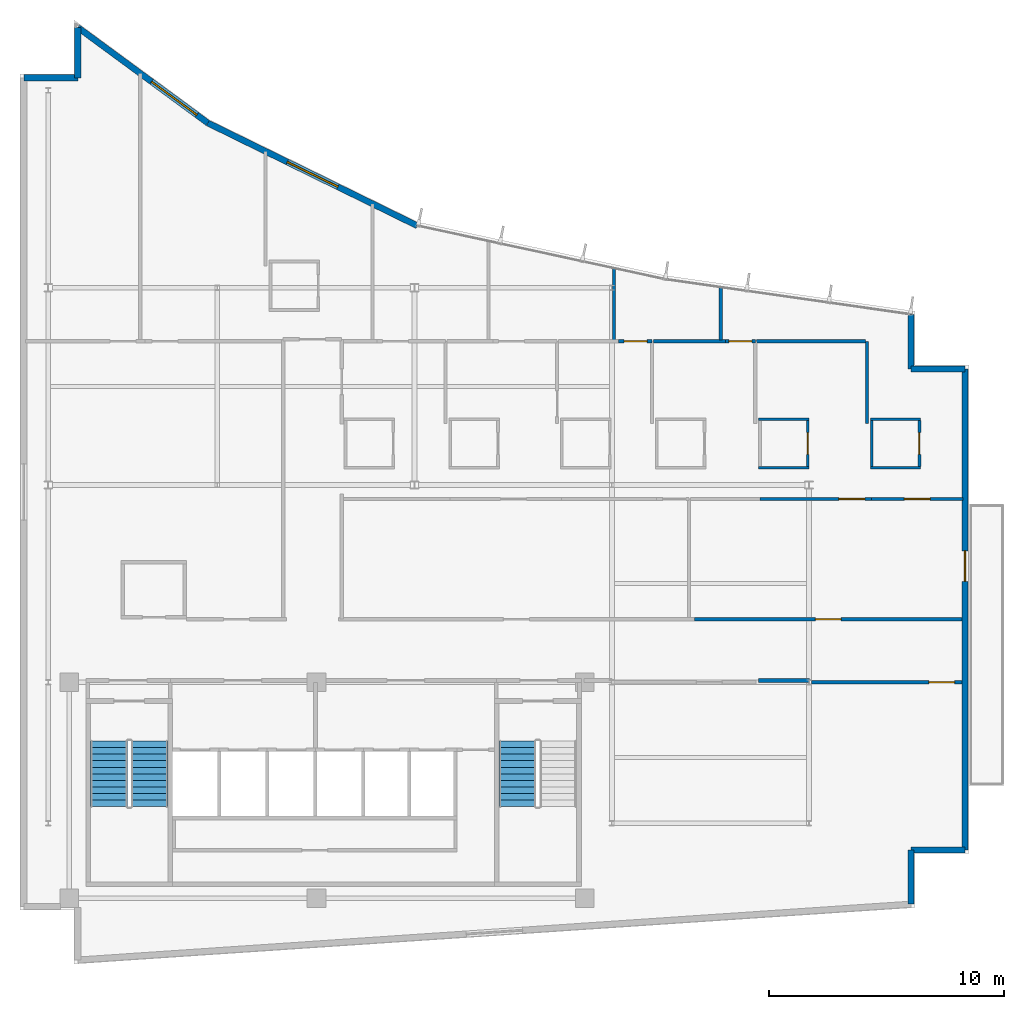
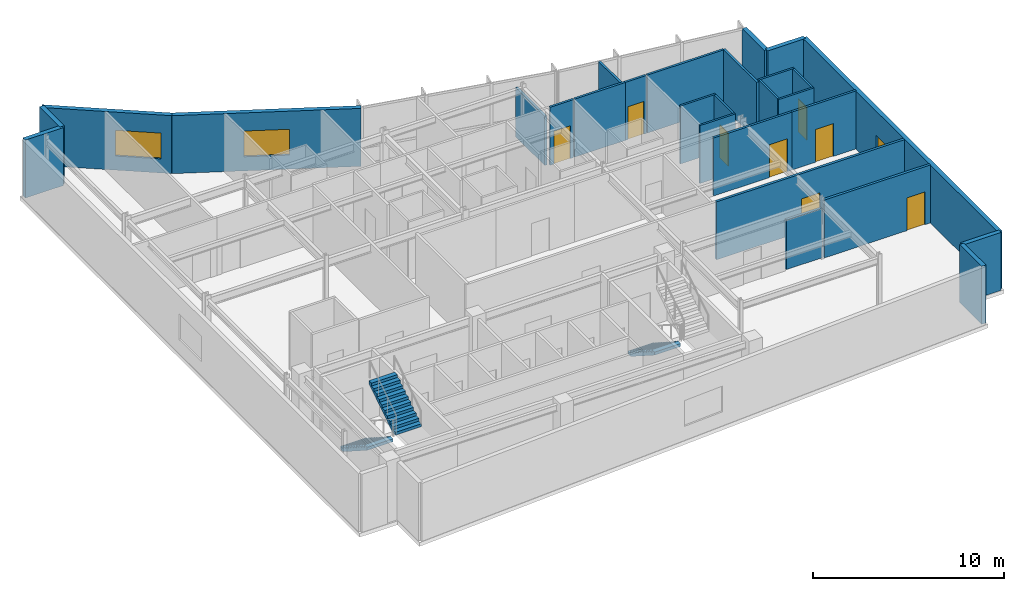
# One storey, part 12 of 16: 28 walls, 9 doors, 3 stair flights, 2 windows, 11 openings, 2 elements without a shape of their own.
"""IFC4 building model written with IfcOpenShell, lengths in metres."""

from ifc_helpers import new_model, si_unit, direction, frame, frame_2d, origin, place, context, subcontext, project, spatial, polyline, rectangle, outline, extrude, material, layer, layer_set, type_object, element, fill, aggregate, save


model = new_model("IFC4")

# Units and contexts
model_context = context("Model", 3, precision=1e-05, world=origin(), true_north=direction((0.0, 1.0)))
body_context = subcontext(model_context, "Body", "Model", "MODEL_VIEW")
ifc_project = project(units=[si_unit("LENGTHUNIT", "METRE"), si_unit("AREAUNIT", "SQUARE_METRE"), si_unit("VOLUMEUNIT", "CUBIC_METRE"), si_unit("PLANEANGLEUNIT", "RADIAN"), si_unit("MASSUNIT", "GRAM", prefix="KILO")], contexts=[model_context])

# Site, building, storey
site_placement = place(None, origin())
site = spatial("IfcSite", under=ifc_project, at=site_placement, CompositionType="ELEMENT")
building_placement = place(site_placement, origin())
building = spatial("IfcBuilding", under=site, at=building_placement, Name="Varnakote Quay Hospital", CompositionType="ELEMENT")
storey_placement = place(building_placement, frame((0.0, 0.0, 292.10009765625)))
storey = spatial("IfcBuildingStorey", under=building, at=storey_placement, Name="L72", CompositionType="ELEMENT", Elevation=292.10009765625)

# Walls
ifc_material_1 = material(Name="Fire-rated acoustic gypsum stud wall", Category="gypsum")
ifc_layer_1 = layer(ifc_material_1, 0.159912109375)
ifc_layer_set_1 = layer_set([ifc_layer_1], Name="Fire-rated acoustic gypsum stud wall")
wall_type_1 = type_object("IfcWallType", Name="WL-COMP-160", PredefinedType="PARTITIONING", material=ifc_layer_set_1)
wall_1_placement = place(storey_placement, frame((31.439208984375, 12.080078125, 0.0), z_axis=(0.0, 0.0, 1.0), x_axis=(1.0, 0.0, 0.0)))
element("IfcWall", 1, at=wall_1_placement, inside=storey, type_object=wall_type_1, Name="L72 Corridor South Gap Wall", PredefinedType="PARTITIONING", context=body_context, shape_type="SweptSolid", body=[
    extrude(rectangle(XDim=2.174072265625, YDim=0.159912109375, at=frame_2d((1.0869140625, 0.0))), origin(), (0.0, 0.0, 1.0), 3.156982421875),
])
ifc_material_2 = material(Name="Moisture-resistant bathroom partition", Category="gypsum")
ifc_layer_2 = layer(ifc_material_2, 0.114990234375)
ifc_layer_set_2 = layer_set([ifc_layer_2], Name="Moisture-resistant bathroom partition")
wall_type_2 = type_object("IfcWallType", Name="WL-ENS-115", PredefinedType="PARTITIONING", material=ifc_layer_set_2)
for number, where, z_axis, x_axis, name in (
    (2, (31.455078125, 21.132568359375, 0.0), (0.0, 0.0, 1.0), (1.0, 0.0, 0.0), "L72 Inpatient En-Suite Bathroom 05 S Wall"),
    (3, (31.455078125, 23.197509765625, 0.0), (0.0, 0.0, 1.0), (1.0, 0.0, 0.0), "L72 Inpatient En-Suite Bathroom 05 N Wall"),
):
    element("IfcWall", number, at=place(storey_placement, frame(where, z_axis=z_axis, x_axis=x_axis)), inside=storey, type_object=wall_type_2, Name=name, PredefinedType="PARTITIONING", context=body_context, shape_type="SweptSolid", body=[
        extrude(rectangle(XDim=2.14990234375, YDim=0.114990234375, at=frame_2d((1.074951171875, 0.0))), origin(), (0.0, 0.0, 1.0), 3.7099609375),
    ])

# Wall, opening, door
wall_2_placement = place(storey_placement, frame((33.547607421875, 21.18994140625, 0.0), z_axis=(0.0, 0.0, 1.0), x_axis=(0.0, 1.0, 0.0)))
wall_2 = element("IfcWall", 4, at=wall_2_placement, inside=storey, type_object=wall_type_2, Name="L72 Inpatient En-Suite Bathroom 05 E Wall", PredefinedType="PARTITIONING", context=body_context, shape_type="SweptSolid", body=[
    extrude(rectangle(XDim=1.949951171875, YDim=0.114990234375, at=frame_2d((0.97509765625, 0.0))), origin(), (0.0, 0.0, 1.0), 3.7099609375),
])
opening_1_placement = place(wall_2_placement, frame((0.514892578125, 0.0, 0.0)))
opening_1 = element("IfcOpeningElement", 5, at=opening_1_placement, cuts=wall_2, Name="Opening D-L72-ENS05", PredefinedType="OPENING", context=body_context, shape_type="SweptSolid", body=[
    extrude(rectangle(XDim=0.919921875, YDim=2.10009765625, at=frame_2d((0.4599609375, 1.050048828125))), frame((0.0, 0.0673828125, 0.0), z_axis=(0.0, -1.0, 0.0), x_axis=(1.0, 0.0, 0.0)), (0.0, 0.0, 1.0), 0.135009765625),
])
ifc_material_3 = material(Name="Moisture-sealed en-suite bathroom door")
door_type_1 = type_object("IfcDoorType", Name="DR-ENS-920x2100", OperationType="NOTDEFINED", PredefinedType="DOOR", material=ifc_material_3)
door_1_placement = place(opening_1_placement, origin())
door_1 = element("IfcDoor", 6, at=door_1_placement, inside=storey, type_object=door_type_1, Name="L72 Inpatient En-Suite Bathroom 05 Door", OperationType="SINGLE_SWING_LEFT", OverallHeight=2.10009765625, OverallWidth=0.919921875, PredefinedType="DOOR", context=body_context, shape_type="SweptSolid", body=[
    extrude(rectangle(XDim=0.919921875, YDim=2.10009765625, at=frame_2d((0.4599609375, 1.050048828125))), frame((0.0, 0.02490234375, 0.0), z_axis=(0.0, -1.0, 0.0), x_axis=(1.0, 0.0, 0.0)), (0.0, 0.0, 1.0), 0.050048828125),
])
fill(opening_1, door_1)

# Walls
for number, where, z_axis, x_axis, name in (
    (7, (36.205078125, 21.132568359375, 0.0), (0.0, 0.0, 1.0), (1.0, 0.0, 0.0), "L72 Inpatient En-Suite Bathroom 06 S Wall"),
    (8, (36.205078125, 23.197509765625, 0.0), (0.0, 0.0, 1.0), (1.0, 0.0, 0.0), "L72 Inpatient En-Suite Bathroom 06 N Wall"),
):
    element("IfcWall", number, at=place(storey_placement, frame(where, z_axis=z_axis, x_axis=x_axis)), inside=storey, type_object=wall_type_2, Name=name, PredefinedType="PARTITIONING", context=body_context, shape_type="SweptSolid", body=[
        extrude(rectangle(XDim=2.14990234375, YDim=0.114990234375, at=frame_2d((1.074951171875, 0.0))), origin(), (0.0, 0.0, 1.0), 3.7099609375),
    ])
wall_3_placement = place(storey_placement, frame((36.262451171875, 21.18994140625, 0.0), z_axis=(0.0, 0.0, 1.0), x_axis=(0.0, 1.0, 0.0)))
element("IfcWall", 9, at=wall_3_placement, inside=storey, type_object=wall_type_2, Name="L72 Inpatient En-Suite Bathroom 06 W Wall", PredefinedType="PARTITIONING", context=body_context, shape_type="SweptSolid", body=[
    extrude(rectangle(XDim=1.949951171875, YDim=0.114990234375, at=frame_2d((0.97509765625, 0.0))), origin(), (0.0, 0.0, 1.0), 3.7099609375),
])

# Wall, opening, door
wall_4_placement = place(storey_placement, frame((38.297607421875, 21.18994140625, 0.0), z_axis=(0.0, 0.0, 1.0), x_axis=(0.0, 1.0, 0.0)))
wall_4 = element("IfcWall", 10, at=wall_4_placement, inside=storey, type_object=wall_type_2, Name="L72 Inpatient En-Suite Bathroom 06 E Wall", PredefinedType="PARTITIONING", context=body_context, shape_type="SweptSolid", body=[
    extrude(rectangle(XDim=1.949951171875, YDim=0.114990234375, at=frame_2d((0.97509765625, 0.0))), origin(), (0.0, 0.0, 1.0), 3.7099609375),
])
opening_2_placement = place(wall_4_placement, frame((0.514892578125, 0.0, 0.0)))
opening_2 = element("IfcOpeningElement", 11, at=opening_2_placement, cuts=wall_4, Name="Opening D-L72-ENS06", PredefinedType="OPENING", context=body_context, shape_type="SweptSolid", body=[
    extrude(rectangle(XDim=0.919921875, YDim=2.10009765625, at=frame_2d((0.4599609375, 1.050048828125))), frame((0.0, 0.0673828125, 0.0), z_axis=(0.0, -1.0, 0.0), x_axis=(1.0, 0.0, 0.0)), (0.0, 0.0, 1.0), 0.135009765625),
])
door_2_placement = place(opening_2_placement, origin())
door_2 = element("IfcDoor", 12, at=door_2_placement, inside=storey, type_object=door_type_1, Name="L72 Inpatient En-Suite Bathroom 06 Door", OperationType="SINGLE_SWING_RIGHT", OverallHeight=2.10009765625, OverallWidth=0.919921875, PredefinedType="DOOR", context=body_context, shape_type="SweptSolid", body=[
    extrude(rectangle(XDim=0.919921875, YDim=2.10009765625, at=frame_2d((0.4599609375, 1.050048828125))), frame((0.0, 0.02490234375, 0.0), z_axis=(0.0, -1.0, 0.0), x_axis=(1.0, 0.0, 0.0)), (0.0, 0.0, 1.0), 0.050048828125),
])
fill(opening_2, door_2)

# Walls
ifc_material_4 = material(Name="Precast concrete N50 (f'c 50 MPa)", Category="concrete")
ifc_layer_3 = layer(ifc_material_4, 0.260009765625)
ifc_layer_set_3 = layer_set([ifc_layer_3], Name="Precast concrete N50 (f'c 50 MPa)")
wall_type_3 = type_object("IfcWallType", Name="WL-EXT-BRICK-260", PredefinedType="STANDARD", material=ifc_layer_set_3)
wall_5_placement = place(storey_placement, frame((37.93994140625, 2.549560546875, 0.0), z_axis=(0.0, 0.0, 1.0), x_axis=(0.0, 1.0, 0.0)))
element("IfcWall", 13, at=wall_5_placement, inside=storey, type_object=wall_type_3, Name="L72 Brick-Faced Precast Exterior Wall", PredefinedType="STANDARD", context=body_context, shape_type="SweptSolid", body=[
    extrude(rectangle(XDim=2.310546875, YDim=0.260009765625, at=frame_2d((1.1552734375, 0.0))), origin(), (0.0, 0.0, 1.0), 3.7099609375),
])
wall_6_placement = place(storey_placement, frame((37.93994140625, 4.860107421875, 0.0), z_axis=(0.0, 0.0, 1.0), x_axis=(1.0, 0.0, 0.0)))
element("IfcWall", 14, at=wall_6_placement, inside=storey, type_object=wall_type_3, Name="L72 Brick-Faced Precast Exterior Wall", PredefinedType="STANDARD", context=body_context, shape_type="SweptSolid", body=[
    extrude(rectangle(XDim=2.300048828125, YDim=0.260009765625, at=frame_2d((1.14990234375, 0.0))), origin(), (0.0, 0.0, 1.0), 3.7099609375),
])

# Wall, opening, door
wall_7_placement = place(storey_placement, frame((40.239990234375, 4.860107421875, 0.0), z_axis=(0.0, 0.0, 1.0), x_axis=(0.0, 1.0, 0.0)))
wall_7 = element("IfcWall", 15, at=wall_7_placement, inside=storey, type_object=wall_type_3, Name="L72 Healing Terrace Portal Brick Wall", PredefinedType="STANDARD", context=body_context, shape_type="SweptSolid", body=[
    extrude(rectangle(XDim=20.47998046875, YDim=0.260009765625, at=frame_2d((10.239990234375, 0.0))), origin(), (0.0, 0.0, 1.0), 3.7099609375),
])
opening_3_placement = place(wall_7_placement, frame((11.43994140625, 0.0, 0.0)))
opening_3 = element("IfcOpeningElement", 16, at=opening_3_placement, cuts=wall_7, Name="Opening DT-L72", PredefinedType="OPENING", context=body_context, shape_type="SweptSolid", body=[
    extrude(rectangle(XDim=1.300048828125, YDim=2.14990234375, at=frame_2d((0.64990234375, 1.074951171875))), frame((0.0, 0.139892578125, 0.0), z_axis=(0.0, -1.0, 0.0), x_axis=(1.0, 0.0, 0.0)), (0.0, 0.0, 1.0), 0.280029296875),
])
ifc_material_5 = material(Name="Anodised aluminium glazed terrace door", Category="aluminium")
door_type_2 = type_object("IfcDoorType", Name="DR-EXT-TERR-1300x2150", OperationType="NOTDEFINED", PredefinedType="DOOR", material=ifc_material_5)
door_3_placement = place(opening_3_placement, origin())
door_3 = element("IfcDoor", 17, at=door_3_placement, inside=storey, type_object=door_type_2, Name="L72 Waterfront Healing Terrace Door", OperationType="SINGLE_SWING_LEFT", OverallHeight=2.14990234375, OverallWidth=1.300048828125, PredefinedType="DOOR", context=body_context, shape_type="SweptSolid", body=[
    extrude(rectangle(XDim=1.300048828125, YDim=2.14990234375, at=frame_2d((0.64990234375, 1.074951171875))), frame((0.0, 0.02490234375, 0.0), z_axis=(0.0, -1.0, 0.0), x_axis=(1.0, 0.0, 0.0)), (0.0, 0.0, 1.0), 0.050048828125),
])
fill(opening_3, door_3)

# Walls
wall_8_placement = place(storey_placement, frame((40.239990234375, 25.340087890625, 0.0), z_axis=(0.0, 0.0, 1.0), x_axis=(-1.0, 0.0, 0.0)))
element("IfcWall", 18, at=wall_8_placement, inside=storey, type_object=wall_type_3, Name="L72 Brick-Faced Precast Exterior Wall", PredefinedType="STANDARD", context=body_context, shape_type="SweptSolid", body=[
    extrude(rectangle(XDim=2.300048828125, YDim=0.260009765625, at=frame_2d((1.14990234375, 0.0))), origin(), (0.0, 0.0, 1.0), 3.7099609375),
])
wall_9_placement = place(storey_placement, frame((37.93994140625, 25.340087890625, 0.0), z_axis=(0.0, 0.0, 1.0), x_axis=(0.0, 1.0, 0.0)))
element("IfcWall", 19, at=wall_9_placement, inside=storey, type_object=wall_type_3, Name="L72 Brick-Faced Precast Exterior Wall", PredefinedType="STANDARD", context=body_context, shape_type="SweptSolid", body=[
    extrude(rectangle(XDim=2.3212890625, YDim=0.260009765625, at=frame_2d((1.16064453125, 0.0))), origin(), (0.0, 0.0, 1.0), 3.7099609375),
])

# Wall, opening, window
wall_10_placement = place(storey_placement, frame((16.9150390625, 31.439697265625, 0.0), z_axis=(0.0, 0.0, 1.0), x_axis=(-0.897793077248, 0.440417518322, 0.0)))
wall_10 = element("IfcWall", 20, at=wall_10_placement, inside=storey, type_object=wall_type_3, Name="L72 Brick-Faced Precast Exterior Wall", PredefinedType="STANDARD", context=body_context, shape_type="SweptSolid", body=[
    extrude(rectangle(XDim=9.933837890625, YDim=0.260009765625, at=frame_2d((4.966796875, 0.0))), origin(), (0.0, 0.0, 1.0), 3.7099609375),
])
opening_4_placement = place(wall_10_placement, frame((3.766845703125, 0.0, 0.89990234375)))
opening_4 = element("IfcOpeningElement", 21, at=opening_4_placement, cuts=wall_10, Name="Opening WN-0291", PredefinedType="OPENING", context=body_context, shape_type="SweptSolid", body=[
    extrude(rectangle(XDim=2.39990234375, YDim=1.64990234375, at=frame_2d((1.199951171875, 0.824951171875))), frame((0.0, 0.139892578125, 0.0), z_axis=(0.0, -1.0, 0.0), x_axis=(1.0, 0.0, 0.0)), (0.0, 0.0, 1.0), 0.280029296875),
])
ifc_material_6 = material(Name="Double-glazed low-E solar glass", Category="glass")
window_type = type_object("IfcWindowType", Name="WIN-CLIN-2400x1650", PartitioningType="SINGLE_PANEL", PredefinedType="WINDOW", material=ifc_material_6)
window_1_placement = place(opening_4_placement, origin())
window_1 = element("IfcWindow", 22, at=window_1_placement, inside=storey, type_object=window_type, Name="L72 Solar-Control Clinical Window", OverallHeight=1.64990234375, OverallWidth=2.39990234375, PartitioningType="SINGLE_PANEL", PredefinedType="WINDOW", context=body_context, shape_type="SweptSolid", body=[
    extrude(rectangle(XDim=2.39990234375, YDim=1.64990234375, at=frame_2d((1.199951171875, 0.824951171875))), frame((0.0, 0.030029296875, 0.0), z_axis=(0.0, -1.0, 0.0), x_axis=(1.0, 0.0, 0.0)), (0.0, 0.0, 1.0), 0.06005859375),
])
fill(opening_4, window_1)

wall_11_placement = place(storey_placement, frame((7.99658203125, 35.814697265625, 0.0), z_axis=(0.0, 0.0, 1.0), x_axis=(-0.805786654178, 0.592205933733, 0.0)))
wall_11 = element("IfcWall", 23, at=wall_11_placement, inside=storey, type_object=wall_type_3, Name="L72 Brick-Faced Precast Exterior Wall", PredefinedType="STANDARD", context=body_context, shape_type="SweptSolid", body=[
    extrude(rectangle(XDim=6.87109375, YDim=0.260009765625, at=frame_2d((3.435546875, 0.0))), origin(), (0.0, 0.0, 1.0), 3.7099609375),
])
opening_5_placement = place(wall_11_placement, frame((0.5751953125, 0.0, 0.89990234375)))
opening_5 = element("IfcOpeningElement", 24, at=opening_5_placement, cuts=wall_11, Name="Opening WN-0292", PredefinedType="OPENING", context=body_context, shape_type="SweptSolid", body=[
    extrude(rectangle(XDim=2.39990234375, YDim=1.64990234375, at=frame_2d((1.199951171875, 0.824951171875))), frame((0.0, 0.139892578125, 0.0), z_axis=(0.0, -1.0, 0.0), x_axis=(1.0, 0.0, 0.0)), (0.0, 0.0, 1.0), 0.280029296875),
])
window_2_placement = place(opening_5_placement, origin())
window_2 = element("IfcWindow", 25, at=window_2_placement, inside=storey, type_object=window_type, Name="L72 Solar-Control Clinical Window", OverallHeight=1.64990234375, OverallWidth=2.39990234375, PartitioningType="SINGLE_PANEL", PredefinedType="WINDOW", context=body_context, shape_type="SweptSolid", body=[
    extrude(rectangle(XDim=2.39990234375, YDim=1.64990234375, at=frame_2d((1.199951171875, 0.824951171875))), frame((0.0, 0.030029296875, 0.0), z_axis=(0.0, -1.0, 0.0), x_axis=(1.0, 0.0, 0.0)), (0.0, 0.0, 1.0), 0.06005859375),
])
fill(opening_5, window_2)

# Walls
wall_12_placement = place(storey_placement, frame((2.4599609375, 39.8837890625, 0.0), z_axis=(0.0, 0.0, 1.0), x_axis=(0.0, -1.0, 0.0)))
element("IfcWall", 26, at=wall_12_placement, inside=storey, type_object=wall_type_3, Name="L72 Brick-Faced Precast Exterior Wall", PredefinedType="STANDARD", context=body_context, shape_type="SweptSolid", body=[
    extrude(rectangle(XDim=2.143798828125, YDim=0.260009765625, at=frame_2d((1.07177734375, 0.0))), origin(), (0.0, 0.0, 1.0), 3.7099609375),
])
wall_13_placement = place(storey_placement, frame((2.4599609375, 37.739990234375, 0.0), z_axis=(0.0, 0.0, 1.0), x_axis=(-1.0, 0.0, 0.0)))
element("IfcWall", 27, at=wall_13_placement, inside=storey, type_object=wall_type_3, Name="L72 Brick-Faced Precast Exterior Wall", PredefinedType="STANDARD", context=body_context, shape_type="SweptSolid", body=[
    extrude(rectangle(XDim=2.300048828125, YDim=0.260009765625, at=frame_2d((1.14990234375, 0.0))), origin(), (0.0, 0.0, 1.0), 3.7099609375),
])

# Wall, opening, door
ifc_material_7 = material(Name="Smoke-proof clinical partition", Category="gypsum")
ifc_layer_4 = layer(ifc_material_7, 0.135009765625)
ifc_layer_set_4 = layer_set([ifc_layer_4], Name="Smoke-proof clinical partition")
wall_type_4 = type_object("IfcWallType", Name="WL-SMOKE-135", PredefinedType="PARTITIONING", material=ifc_layer_set_4)
wall_14_placement = place(storey_placement, frame((36.254638671875, 19.800048828125, 0.0), z_axis=(0.0, 0.0, 1.0), x_axis=(-1.0, 0.0, 0.0)))
wall_14 = element("IfcWall", 28, at=wall_14_placement, inside=storey, type_object=wall_type_4, Name="L72 Clinical Interior Partition", PredefinedType="PARTITIONING", context=body_context, shape_type="SweptSolid", body=[
    extrude(rectangle(XDim=4.748046875, YDim=0.135009765625, at=frame_2d((2.3740234375, 0.0))), origin(), (0.0, 0.0, 1.0), 3.7099609375),
])
opening_6_placement = place(wall_14_placement, frame((0.28125, 0.0, 0.0)))
opening_6 = element("IfcOpeningElement", 29, at=opening_6_placement, cuts=wall_14, Name="Opening D-L72-BR05", PredefinedType="OPENING", context=body_context, shape_type="SweptSolid", body=[
    extrude(rectangle(XDim=1.10009765625, YDim=2.10009765625, at=frame_2d((0.550048828125, 1.050048828125))), frame((0.0, 0.077392578125, 0.0), z_axis=(0.0, -1.0, 0.0), x_axis=(1.0, 0.0, 0.0)), (0.0, 0.0, 1.0), 0.155029296875),
])
ifc_material_8 = material(Name="Acoustic timber clinical consult door", Category="wood")
door_type_3 = type_object("IfcDoorType", Name="DR-CLIN-FD30S-1100x2100", OperationType="NOTDEFINED", PredefinedType="DOOR", material=ifc_material_8)
door_4_placement = place(opening_6_placement, origin())
door_4 = element("IfcDoor", 30, at=door_4_placement, inside=storey, type_object=door_type_3, Name="L72 Inpatient Clinical Treatment Room 05 Door", OperationType="SINGLE_SWING_LEFT", OverallHeight=2.10009765625, OverallWidth=1.10009765625, PredefinedType="DOOR", context=body_context, shape_type="SweptSolid", body=[
    extrude(rectangle(XDim=1.10009765625, YDim=2.10009765625, at=frame_2d((0.550048828125, 1.050048828125))), frame((0.0, 0.02490234375, 0.0), z_axis=(0.0, -1.0, 0.0), x_axis=(1.0, 0.0, 0.0)), (0.0, 0.0, 1.0), 0.050048828125),
])
fill(opening_6, door_4)

wall_15_placement = place(storey_placement, frame((40.159912109375, 19.800048828125, 0.0), z_axis=(0.0, 0.0, 1.0), x_axis=(-1.0, 0.0, 0.0)))
wall_15 = element("IfcWall", 31, at=wall_15_placement, inside=storey, type_object=wall_type_4, Name="L72 Clinical Interior Partition", PredefinedType="PARTITIONING", context=body_context, shape_type="SweptSolid", body=[
    extrude(rectangle(XDim=3.9033203125, YDim=0.135009765625, at=frame_2d((1.95166015625, 0.0))), origin(), (0.0, 0.0, 1.0), 3.7099609375),
])
opening_7_placement = place(wall_15_placement, frame((1.401611328125, 0.0, 0.0)))
opening_7 = element("IfcOpeningElement", 32, at=opening_7_placement, cuts=wall_15, Name="Opening D-L72-BR06", PredefinedType="OPENING", context=body_context, shape_type="SweptSolid", body=[
    extrude(rectangle(XDim=1.10009765625, YDim=2.10009765625, at=frame_2d((0.550048828125, 1.050048828125))), frame((0.0, 0.077392578125, 0.0), z_axis=(0.0, -1.0, 0.0), x_axis=(1.0, 0.0, 0.0)), (0.0, 0.0, 1.0), 0.155029296875),
])
door_5_placement = place(opening_7_placement, origin())
door_5 = element("IfcDoor", 33, at=door_5_placement, inside=storey, type_object=door_type_3, Name="L72 Inpatient Clinical Treatment Room 06 Door", OperationType="SINGLE_SWING_RIGHT", OverallHeight=2.10009765625, OverallWidth=1.10009765625, PredefinedType="DOOR", context=body_context, shape_type="SweptSolid", body=[
    extrude(rectangle(XDim=1.10009765625, YDim=2.10009765625, at=frame_2d((0.550048828125, 1.050048828125))), frame((0.0, 0.02490234375, 0.0), z_axis=(0.0, -1.0, 0.0), x_axis=(1.0, 0.0, 0.0)), (0.0, 0.0, 1.0), 0.050048828125),
])
fill(opening_7, door_5)

wall_16_placement = place(storey_placement, frame((26.909912109375, 26.52001953125, 0.0), z_axis=(0.0, 0.0, 1.0), x_axis=(-1.0, 0.0, 0.0)))
wall_16 = element("IfcWall", 34, at=wall_16_placement, inside=storey, type_object=wall_type_4, Name="L72 Clinical Interior Partition", PredefinedType="PARTITIONING", context=body_context, shape_type="SweptSolid", body=[
    extrude(rectangle(XDim=1.42333984375, YDim=0.135009765625, at=frame_2d((0.711669921875, 0.0))), origin(), (0.0, 0.0, 1.0), 3.7099609375),
])
opening_8_placement = place(wall_16_placement, frame((0.201171875, 0.0, 0.0)))
opening_8 = element("IfcOpeningElement", 35, at=opening_8_placement, cuts=wall_16, Name="Opening D-L72-MD07", PredefinedType="OPENING", context=body_context, shape_type="SweptSolid", body=[
    extrude(rectangle(XDim=0.97998046875, YDim=2.10009765625, at=frame_2d((0.489990234375, 1.050048828125))), frame((0.0, 0.077392578125, 0.0), z_axis=(0.0, -1.0, 0.0), x_axis=(1.0, 0.0, 0.0)), (0.0, 0.0, 1.0), 0.155029296875),
])
ifc_material_9 = material(Name="Accessible sanitary compartment door")
door_type_4 = type_object("IfcDoorType", Name="DR-WC-980x2100", OperationType="NOTDEFINED", PredefinedType="DOOR", material=ifc_material_9)
door_6_placement = place(opening_8_placement, origin())
door_6 = element("IfcDoor", 36, at=door_6_placement, inside=storey, type_object=door_type_4, Name="L72 Trauma Coordinator Office Door", OperationType="SINGLE_SWING_RIGHT", OverallHeight=2.10009765625, OverallWidth=0.97998046875, PredefinedType="DOOR", context=body_context, shape_type="SweptSolid", body=[
    extrude(rectangle(XDim=0.97998046875, YDim=2.10009765625, at=frame_2d((0.489990234375, 1.050048828125))), frame((0.0, 0.02490234375, 0.0), z_axis=(0.0, -1.0, 0.0), x_axis=(1.0, 0.0, 0.0)), (0.0, 0.0, 1.0), 0.050048828125),
])
fill(opening_8, door_6)

# Wall
wall_17_placement = place(storey_placement, frame((30.03466796875, 26.52001953125, 0.0), z_axis=(0.0, 0.0, 1.0), x_axis=(-1.0, 0.0, 0.0)))
element("IfcWall", 37, at=wall_17_placement, inside=storey, type_object=wall_type_4, Name="L72 Clinical Interior Partition", PredefinedType="PARTITIONING", context=body_context, shape_type="SweptSolid", body=[
    extrude(rectangle(XDim=3.067138671875, YDim=0.135009765625, at=frame_2d((1.53369140625, 0.0))), origin(), (0.0, 0.0, 1.0), 3.7099609375),
])

# Wall, opening, door
wall_18_placement = place(storey_placement, frame((31.31005859375, 26.52001953125, 0.0), z_axis=(0.0, 0.0, 1.0), x_axis=(-1.0, 0.0, 0.0)))
wall_18 = element("IfcWall", 38, at=wall_18_placement, inside=storey, type_object=wall_type_4, Name="L72 Clinical Interior Partition", PredefinedType="PARTITIONING", context=body_context, shape_type="SweptSolid", body=[
    extrude(rectangle(XDim=1.2734375, YDim=0.135009765625, at=frame_2d((0.63671875, 0.0))), origin(), (0.0, 0.0, 1.0), 3.7099609375),
])
opening_9_placement = place(wall_18_placement, frame((0.146728515625, 0.0, 0.0)))
opening_9 = element("IfcOpeningElement", 39, at=opening_9_placement, cuts=wall_18, Name="Opening D-L72-UST01", PredefinedType="OPENING", context=body_context, shape_type="SweptSolid", body=[
    extrude(rectangle(XDim=0.97998046875, YDim=2.10009765625, at=frame_2d((0.489990234375, 1.050048828125))), frame((0.0, 0.077392578125, 0.0), z_axis=(0.0, -1.0, 0.0), x_axis=(1.0, 0.0, 0.0)), (0.0, 0.0, 1.0), 0.155029296875),
])
door_7_placement = place(opening_9_placement, origin())
door_7 = element("IfcDoor", 40, at=door_7_placement, inside=storey, type_object=door_type_4, Name="L72 Ward Clean Equipment Store 01 Door", OperationType="SINGLE_SWING_LEFT", OverallHeight=2.10009765625, OverallWidth=0.97998046875, PredefinedType="DOOR", context=body_context, shape_type="SweptSolid", body=[
    extrude(rectangle(XDim=0.97998046875, YDim=2.10009765625, at=frame_2d((0.489990234375, 1.050048828125))), frame((0.0, 0.02490234375, 0.0), z_axis=(0.0, -1.0, 0.0), x_axis=(1.0, 0.0, 0.0)), (0.0, 0.0, 1.0), 0.050048828125),
])
fill(opening_9, door_7)

# Walls
wall_19_placement = place(storey_placement, frame((36.06005859375, 23.012451171875, 0.0), z_axis=(0.0, 0.0, 1.0), x_axis=(0.0, 1.0, 0.0)))
element("IfcWall", 41, at=wall_19_placement, inside=storey, type_object=wall_type_4, Name="L72 Clinical Interior Partition", PredefinedType="PARTITIONING", context=body_context, shape_type="SweptSolid", body=[
    extrude(rectangle(XDim=3.507568359375, YDim=0.135009765625, at=frame_2d((1.75390625, 0.0))), origin(), (0.0, 0.0, 1.0), 3.7099609375),
])
wall_20_placement = place(storey_placement, frame((36.00244140625, 26.52001953125, 0.0), z_axis=(0.0, 0.0, 1.0), x_axis=(-1.0, 0.0, 0.0)))
element("IfcWall", 42, at=wall_20_placement, inside=storey, type_object=wall_type_4, Name="L72 Clinical Interior Partition", PredefinedType="PARTITIONING", context=body_context, shape_type="SweptSolid", body=[
    extrude(rectangle(XDim=4.635009765625, YDim=0.135009765625, at=frame_2d((2.3173828125, 0.0))), origin(), (0.0, 0.0, 1.0), 3.7099609375),
])
wall_21_placement = place(storey_placement, frame((25.2900390625, 26.577392578125, 0.0), z_axis=(0.0, 0.0, 1.0), x_axis=(0.0, 1.0, 0.0)))
element("IfcWall", 43, at=wall_21_placement, inside=storey, type_object=wall_type_4, Name="L72 Clinical Interior Partition", PredefinedType="PARTITIONING", context=body_context, shape_type="SweptSolid", body=[
    extrude(rectangle(XDim=3.051025390625, YDim=0.135009765625, at=frame_2d((1.525390625, 0.0))), origin(), (0.0, 0.0, 1.0), 3.156982421875),
])
wall_22_placement = place(storey_placement, frame((29.840087890625, 26.577392578125, 0.0), z_axis=(0.0, 0.0, 1.0), x_axis=(0.0, 1.0, 0.0)))
element("IfcWall", 44, at=wall_22_placement, inside=storey, type_object=wall_type_4, Name="L72 Clinical Interior Partition", PredefinedType="PARTITIONING", context=body_context, shape_type="SweptSolid", body=[
    extrude(rectangle(XDim=2.2421875, YDim=0.135009765625, at=frame_2d((1.12109375, 0.0))), origin(), (0.0, 0.0, 1.0), 3.7099609375),
])

# Wall, opening, door
ifc_material_10 = material(Name="Fire-rated clinical gypsum partition", Category="gypsum")
ifc_layer_5 = layer(ifc_material_10, 0.14990234375)
ifc_layer_set_5 = layer_set([ifc_layer_5], Name="Fire-rated clinical gypsum partition")
wall_type_5 = type_object("IfcWallType", Name="WL-WARD-150", PredefinedType="PARTITIONING", material=ifc_layer_set_5)
wall_23_placement = place(storey_placement, frame((40.1201171875, 12.0, 0.0), z_axis=(0.0, 0.0, 1.0), x_axis=(-1.0, 0.0, 0.0)))
wall_23 = element("IfcWall", 45, at=wall_23_placement, inside=storey, type_object=wall_type_5, Name="L72 Clinical Interior Partition", PredefinedType="PARTITIONING", context=body_context, shape_type="SweptSolid", body=[
    extrude(rectangle(XDim=6.417724609375, YDim=0.14990234375, at=frame_2d((3.208984375, 0.0))), origin(), (0.0, 0.0, 1.0), 3.7099609375),
])
opening_10_placement = place(wall_23_placement, frame((0.322998046875, 0.0, 0.0)))
opening_10 = element("IfcOpeningElement", 46, at=opening_10_placement, cuts=wall_23, Name="Opening D-L72-RM1", PredefinedType="OPENING", context=body_context, shape_type="SweptSolid", body=[
    extrude(rectangle(XDim=1.10009765625, YDim=2.10009765625, at=frame_2d((0.550048828125, 1.050048828125))), frame((0.0, 0.0849609375, 0.0), z_axis=(0.0, -1.0, 0.0), x_axis=(1.0, 0.0, 0.0)), (0.0, 0.0, 1.0), 0.169921875),
])
door_8_placement = place(opening_10_placement, origin())
door_8 = element("IfcDoor", 47, at=door_8_placement, inside=storey, type_object=door_type_3, Name="L72 Cardiac Telemetry Treatment Suite Door", OperationType="SINGLE_SWING_LEFT", OverallHeight=2.10009765625, OverallWidth=1.10009765625, PredefinedType="DOOR", context=body_context, shape_type="SweptSolid", body=[
    extrude(rectangle(XDim=1.10009765625, YDim=2.10009765625, at=frame_2d((0.550048828125, 1.050048828125))), frame((0.0, 0.02490234375, 0.0), z_axis=(0.0, -1.0, 0.0), x_axis=(1.0, 0.0, 0.0)), (0.0, 0.0, 1.0), 0.050048828125),
])
fill(opening_10, door_8)

wall_24_placement = place(storey_placement, frame((40.1201171875, 14.679931640625, 0.0), z_axis=(0.0, 0.0, 1.0), x_axis=(-1.0, 0.0, 0.0)))
wall_24 = element("IfcWall", 48, at=wall_24_placement, inside=storey, type_object=wall_type_5, Name="L72 Clinical Interior Partition", PredefinedType="PARTITIONING", context=body_context, shape_type="SweptSolid", body=[
    extrude(rectangle(XDim=11.402099609375, YDim=0.14990234375, at=frame_2d((5.701171875, 0.0))), origin(), (0.0, 0.0, 1.0), 3.7099609375),
])
opening_11_placement = place(wall_24_placement, frame((5.15087890625, 0.0, 0.0)))
opening_11 = element("IfcOpeningElement", 49, at=opening_11_placement, cuts=wall_24, Name="Opening D-L72-DLNG", PredefinedType="OPENING", context=body_context, shape_type="SweptSolid", body=[
    extrude(rectangle(XDim=1.10009765625, YDim=2.10009765625, at=frame_2d((0.550048828125, 1.050048828125))), frame((0.0, 0.0849609375, 0.0), z_axis=(0.0, -1.0, 0.0), x_axis=(1.0, 0.0, 0.0)), (0.0, 0.0, 1.0), 0.169921875),
])
door_9_placement = place(opening_11_placement, origin())
door_9 = element("IfcDoor", 50, at=door_9_placement, inside=storey, type_object=door_type_3, Name="L72 Waterfront Patient & Family Dayroom Door", OperationType="SINGLE_SWING_RIGHT", OverallHeight=2.10009765625, OverallWidth=1.10009765625, PredefinedType="DOOR", context=body_context, shape_type="SweptSolid", body=[
    extrude(rectangle(XDim=1.10009765625, YDim=2.10009765625, at=frame_2d((0.550048828125, 1.050048828125))), frame((0.0, 0.02490234375, 0.0), z_axis=(0.0, -1.0, 0.0), x_axis=(1.0, 0.0, 0.0)), (0.0, 0.0, 1.0), 0.050048828125),
])
fill(opening_11, door_9)

# Stair, stair flights
ifc_material_11 = material(Name="Concrete N40 (f'c 40 MPa)", Category="concrete")
stair_type = type_object("IfcStairType", Name="STR-CORE-1580", PredefinedType="HALF_TURN_STAIR", material=ifc_material_11)
stair_1_placement = place(storey_placement, origin())
stair_1 = element("IfcStair", 51, at=stair_1_placement, inside=storey, type_object=stair_type, Name="L72 Fire-Isolated Exit Stair ST-01", PredefinedType="HALF_TURN_STAIR")
ifc_material_12 = material(Name="Concrete N40 (f'c 40 MPa)", Category="concrete")
ifc_layer_6 = layer(ifc_material_12, 0.159912109375)
ifc_layer_set_6 = layer_set([ifc_layer_6], Name="Concrete N40 (f'c 40 MPa)")
stair_flight_type = type_object("IfcStairFlightType", Name="FLT-CORE-1580", PredefinedType="STRAIGHT", material=ifc_layer_set_6)
stair_flight_1_placement = place(storey_placement, frame((3.7900390625, 9.5, 0.0), z_axis=(0.0, 0.0, 1.0), x_axis=(0.0, -1.0, 0.0)))
stair_flight_1 = element("IfcStairFlight", 52, at=stair_flight_1_placement, type_object=stair_flight_type, Name="ST-01 flight 1", NumberOfRisers=11, NumberOfTreads=10, PredefinedType="STRAIGHT", RiserHeight=0.179545455, TreadLength=0.28, context=body_context, shape_type="SweptSolid", body=[
    extrude(outline(polyline([(0.0, 0.0), (0.0, 0.179443359375), (0.280029296875, 0.179443359375), (0.280029296875, 0.359130859375), (0.56005859375, 0.359130859375), (0.56005859375, 0.53857421875), (0.840087890625, 0.53857421875), (0.840087890625, 0.71826171875), (1.1201171875, 0.71826171875), (1.1201171875, 0.897705078125), (1.39990234375, 0.897705078125), (1.39990234375, 1.077392578125), (1.679931640625, 1.077392578125), (1.679931640625, 1.2568359375), (1.9599609375, 1.2568359375), (1.9599609375, 1.436279296875), (2.239990234375, 1.436279296875), (2.239990234375, 1.615966796875), (2.52001953125, 1.615966796875), (2.52001953125, 1.79541015625), (2.800048828125, 1.79541015625), (2.800048828125, 1.97509765625), (2.800048828125, 1.60546875), (0.296142578125, 0.0), (0.0, 0.0)])), frame((0.0, 0.7900390625, 0.0), z_axis=(0.0, -1.0, 0.0), x_axis=(1.0, 0.0, 0.0)), (0.0, 0.0, 1.0), 1.580078125),
])
stair_flight_2_placement = place(storey_placement, frame((5.510009765625, 6.699951171875, 1.974853515625), z_axis=(0.0, 0.0, 1.0), x_axis=(0.0, 1.0, 0.0)))
stair_flight_2 = element("IfcStairFlight", 53, at=stair_flight_2_placement, type_object=stair_flight_type, Name="ST-01 flight 2", NumberOfRisers=11, NumberOfTreads=10, PredefinedType="STRAIGHT", RiserHeight=0.179545455, TreadLength=0.28, context=body_context, shape_type="SweptSolid", body=[
    extrude(outline(polyline([(0.0, 0.0), (0.0, 0.179443359375), (0.280029296875, 0.179443359375), (0.280029296875, 0.359130859375), (0.56005859375, 0.359130859375), (0.56005859375, 0.53857421875), (0.840087890625, 0.53857421875), (0.840087890625, 0.71826171875), (1.1201171875, 0.71826171875), (1.1201171875, 0.897705078125), (1.39990234375, 0.897705078125), (1.39990234375, 1.077392578125), (1.679931640625, 1.077392578125), (1.679931640625, 1.2568359375), (1.9599609375, 1.2568359375), (1.9599609375, 1.436279296875), (2.239990234375, 1.436279296875), (2.239990234375, 1.615966796875), (2.52001953125, 1.615966796875), (2.52001953125, 1.79541015625), (2.800048828125, 1.79541015625), (2.800048828125, 1.97509765625), (2.800048828125, 1.60546875), (0.296142578125, 0.0), (0.0, 0.0)])), frame((0.0, 0.7900390625, 0.0), z_axis=(0.0, -1.0, 0.0), x_axis=(1.0, 0.0, 0.0)), (0.0, 0.0, 1.0), 1.580078125),
])
aggregate(stair_1, [stair_flight_1, stair_flight_2])

# Stair, stair flight
stair_2_placement = place(storey_placement, origin())
stair_2 = element("IfcStair", 54, at=stair_2_placement, inside=storey, type_object=stair_type, Name="L72 Fire-Isolated Exit Stair ST-02", PredefinedType="HALF_TURN_STAIR")
stair_flight_3_placement = place(storey_placement, frame((21.18994140625, 9.5, 0.0), z_axis=(0.0, 0.0, 1.0), x_axis=(0.0, -1.0, 0.0)))
stair_flight_3 = element("IfcStairFlight", 55, at=stair_flight_3_placement, type_object=stair_flight_type, Name="ST-02 flight 1", NumberOfRisers=11, NumberOfTreads=10, PredefinedType="STRAIGHT", RiserHeight=0.179545455, TreadLength=0.28, context=body_context, shape_type="SweptSolid", body=[
    extrude(outline(polyline([(0.0, 0.0), (0.0, 0.179443359375), (0.280029296875, 0.179443359375), (0.280029296875, 0.359130859375), (0.56005859375, 0.359130859375), (0.56005859375, 0.53857421875), (0.840087890625, 0.53857421875), (0.840087890625, 0.71826171875), (1.1201171875, 0.71826171875), (1.1201171875, 0.897705078125), (1.39990234375, 0.897705078125), (1.39990234375, 1.077392578125), (1.679931640625, 1.077392578125), (1.679931640625, 1.2568359375), (1.9599609375, 1.2568359375), (1.9599609375, 1.436279296875), (2.239990234375, 1.436279296875), (2.239990234375, 1.615966796875), (2.52001953125, 1.615966796875), (2.52001953125, 1.79541015625), (2.800048828125, 1.79541015625), (2.800048828125, 1.97509765625), (2.800048828125, 1.60546875), (0.296142578125, 0.0), (0.0, 0.0)])), frame((0.0, 0.7900390625, 0.0), z_axis=(0.0, -1.0, 0.0), x_axis=(1.0, 0.0, 0.0)), (0.0, 0.0, 1.0), 1.580078125),
])
aggregate(stair_2, [stair_flight_3])

save(model, "model.ifc")
